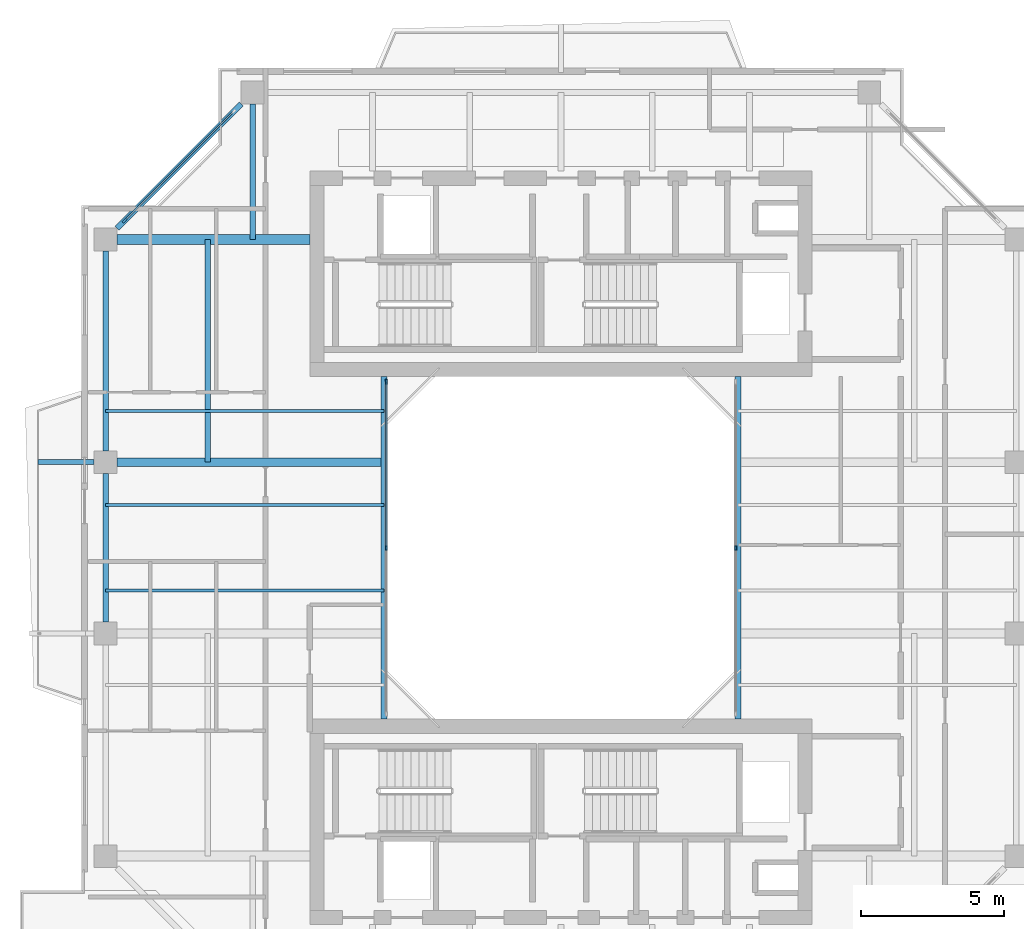
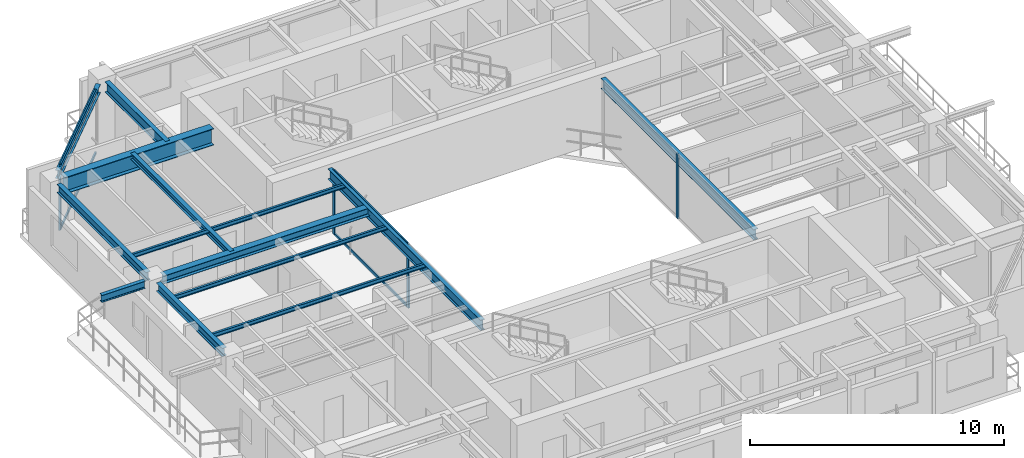
# One storey, part 4 of 15: 13 beams, 8 members, 3 elements without a shape of their own.
"""IFC4 building model written with IfcOpenShell, lengths in metres."""

import ifcopenshell
import ifcopenshell.guid

model = None  # the IFC model being written
_history = None  # IfcOwnerHistory: only IFC2X3 demands one
_inside = {}  # id of a spatial element -> (the spatial element, [elements in it])
_under = {}  # id of a project, library or spatial element -> (it, [spatial elements below it])
_declared = {}  # id of a project -> (the project, [libraries it declares])
_typed = {}  # id of a type object -> (the type object, [elements of that type])
_made_of = {}  # id of a material, layer set ... -> (it, [elements and type objects made of it])


def new_model(schema):
    """Start an empty IFC model of exactly this schema.

    Asked for "IFC4X3", IfcOpenShell would pick the latest addendum, in which some entities
    have other attributes; the version numbers below select the first issue.
    IFC2X3 requires an IfcOwnerHistory on every rooted entity: one is made here for all.
    """
    global model, _history
    if schema == "IFC4X3":
        model = ifcopenshell.file(schema_version=(4, 3, 0, 0))
    else:
        model = ifcopenshell.file(schema=schema)
    _inside.clear()
    _under.clear()
    _declared.clear()
    _typed.clear()
    _made_of.clear()
    _history = None
    if model.schema == "IFC2X3":
        org = make("IfcOrganization", Name="unknown")
        user = make(
            "IfcPersonAndOrganization",
            ThePerson=make("IfcPerson", FamilyName="unknown"),
            TheOrganization=org,
        )
        app = make(
            "IfcApplication",
            ApplicationDeveloper=org,
            Version="unknown",
            ApplicationFullName="unknown",
            ApplicationIdentifier="unknown",
        )
        _history = make(
            "IfcOwnerHistory",
            OwningUser=user,
            OwningApplication=app,
            ChangeAction="ADDED",
            CreationDate=0,
        )
    return model


def make(cls, **values):
    """One entity of the class cls with the attributes given. An attribute that is None is left unset."""
    return model.create_entity(
        cls, **{name: value for name, value in values.items() if value is not None}
    )


def rooted(cls, **values):
    """An entity with a GlobalId (a new one), such as an element, a storey or a relation."""
    return make(cls, GlobalId=ifcopenshell.guid.new(), OwnerHistory=_history, **values)


def si_unit(unit_type, name, prefix=None):
    """IfcSIUnit, for example si_unit("LENGTHUNIT", "METRE", prefix="MILLI")."""
    return make("IfcSIUnit", UnitType=unit_type, Prefix=prefix, Name=name)


def assignment(units):
    """IfcUnitAssignment: the units of a project."""
    return None if units is None else make("IfcUnitAssignment", Units=units)


def point(xyz):
    """IfcCartesianPoint."""
    return None if xyz is None else make("IfcCartesianPoint", Coordinates=xyz)


def direction(xyz):
    """IfcDirection."""
    return None if xyz is None else make("IfcDirection", DirectionRatios=xyz)


def frame(location, z_axis=None, x_axis=None):
    """IfcAxis2Placement3D, a coordinate frame: its origin and axes. An axis left out is left unset."""
    return make(
        "IfcAxis2Placement3D",
        Location=point(location),
        Axis=direction(z_axis),
        RefDirection=direction(x_axis),
    )


def frame_2d(location, x_axis=None):
    """IfcAxis2Placement2D, a coordinate frame in the plane: its origin and x axis."""
    return make(
        "IfcAxis2Placement2D", Location=point(location), RefDirection=direction(x_axis)
    )


def origin():
    """The frame at (0, 0, 0) with its axes left unset."""
    return frame((0.0, 0.0, 0.0))


def origin_2d():
    """The frame at (0, 0) in the plane with its x axis left unset."""
    return frame_2d((0.0, 0.0))


def place(relative_to, where):
    """IfcLocalPlacement: puts the frame where relative to a parent placement (None: the world)."""
    return make(
        "IfcLocalPlacement", PlacementRelTo=relative_to, RelativePlacement=where
    )


def context(
    kind, dimensions, precision=None, world=None, true_north=None, identifier=None
):
    """IfcGeometricRepresentationContext, for example the 3D "Model" context."""
    return make(
        "IfcGeometricRepresentationContext",
        ContextIdentifier=identifier,
        ContextType=kind,
        CoordinateSpaceDimension=dimensions,
        Precision=precision,
        WorldCoordinateSystem=world,
        TrueNorth=true_north,
    )


def subcontext(parent, identifier, kind, view, scale=None):
    """IfcGeometricRepresentationSubContext, for example "Body" below "Model"."""
    return make(
        "IfcGeometricRepresentationSubContext",
        ContextIdentifier=identifier,
        ContextType=kind,
        ParentContext=parent,
        TargetScale=scale,
        TargetView=view,
    )


def project(units=None, contexts=None):
    """IfcProject with its units and contexts."""
    return rooted(
        "IfcProject",
        Name="project",
        RepresentationContexts=contexts,
        UnitsInContext=assignment(units),
    )


def spatial(cls, under=None, at=None, **own):
    """A site, building, storey or space (cls), placed at a placement, below another one or the project."""
    s = rooted(cls, ObjectPlacement=at, **own)
    if under is not None:
        _under.setdefault(under.id(), (under, []))[1].append(s)
    return s


def profile(cls, at=None, kind="AREA", **sizes):
    """A parametric profile (cls). Its sizes go by their IFC names, for example OverallWidth=200.0."""
    return make(cls, ProfileType=kind, Position=at, **sizes)


def rectangle(**sizes):
    """IfcRectangleProfileDef."""
    return profile("IfcRectangleProfileDef", **sizes)


def i_section(**sizes):
    """IfcIShapeProfileDef."""
    return profile("IfcIShapeProfileDef", **sizes)


def extrude(swept, where, along, depth):
    """IfcExtrudedAreaSolid: the profile swept, set in the frame where, extruded along a direction by depth."""
    return make(
        "IfcExtrudedAreaSolid",
        SweptArea=swept,
        Position=where,
        ExtrudedDirection=direction(along),
        Depth=depth,
    )


def shape(context_of_items, identifier, shape_type, items):
    """IfcShapeRepresentation: the items that make up one representation, for example the "Body"."""
    return make(
        "IfcShapeRepresentation",
        ContextOfItems=context_of_items,
        RepresentationIdentifier=identifier,
        RepresentationType=shape_type,
        Items=items,
    )


def source(mapping_origin, context_of_items, identifier, shape_type, items):
    """IfcRepresentationMap: a shape defined once, which mapped items show again and again."""
    return make(
        "IfcRepresentationMap",
        MappingOrigin=mapping_origin,
        MappedRepresentation=shape(context_of_items, identifier, shape_type, items),
    )


def transform(
    local_origin,
    x_axis=None,
    y_axis=None,
    z_axis=None,
    scale=None,
    scale2=None,
    scale3=None,
    uniform=True,
):
    """IfcCartesianTransformationOperator3D, or its non-uniform kind. x_axis, y_axis, z_axis: its Axis1, 2, 3."""
    if uniform:
        return make(
            "IfcCartesianTransformationOperator3D",
            Axis1=direction(x_axis),
            Axis2=direction(y_axis),
            LocalOrigin=point(local_origin),
            Scale=scale,
            Axis3=direction(z_axis),
        )
    return make(
        "IfcCartesianTransformationOperator3DnonUniform",
        Axis1=direction(x_axis),
        Axis2=direction(y_axis),
        LocalOrigin=point(local_origin),
        Scale=scale,
        Axis3=direction(z_axis),
        Scale2=scale2,
        Scale3=scale3,
    )


def mapped(mapping_source, mapping_target):
    """IfcMappedItem: shows the shape of a source again, moved by a transform."""
    return make(
        "IfcMappedItem", MappingSource=mapping_source, MappingTarget=mapping_target
    )


def material(Name=None, Category=None):
    """IfcMaterial."""
    return make("IfcMaterial", Name=Name, Category=Category)


def layer(
    of_material, thickness, ventilated=None, Name=None, Category=None, Priority=None
):
    """IfcMaterialLayer: one layer of a wall or slab, of a material (None: an air gap)."""
    return make(
        "IfcMaterialLayer",
        Material=of_material,
        LayerThickness=thickness,
        IsVentilated=ventilated,
        Name=Name,
        Category=Category,
        Priority=Priority,
    )


def layer_set(layers, Name=None):
    """IfcMaterialLayerSet."""
    return make("IfcMaterialLayerSet", MaterialLayers=layers, LayerSetName=Name)


def material_profile(
    of_material, cross_section, Name=None, Category=None, Priority=None
):
    """IfcMaterialProfile: a cross section and its material."""
    return make(
        "IfcMaterialProfile",
        Name=Name,
        Material=of_material,
        Profile=cross_section,
        Priority=Priority,
        Category=Category,
    )


def profile_set(profiles, Name=None, composite=None):
    """IfcMaterialProfileSet."""
    return make(
        "IfcMaterialProfileSet",
        Name=Name,
        MaterialProfiles=profiles,
        CompositeProfile=composite,
    )


def made_of(thing, what):
    """Note that an element or type object is made of a material, layer set ...; save() writes the relation."""
    if what is not None:
        _made_of.setdefault(what.id(), (what, []))[1].append(thing)
    return thing


def type_object(cls, material=None, **own):
    """A type object (cls), such as IfcWallType, which elements share."""
    return made_of(rooted(cls, **own), material)


def element(
    cls,
    number,
    at=None,
    inside=None,
    cuts=None,
    type_object=None,
    material=None,
    context=None,
    identifier="Body",
    shape_type=None,
    held_by="IfcProductDefinitionShape",
    body=None,
    shapes=None,
    **own,
):
    """One element of the class cls, such as IfcWall. Its Tag is "e" and its number.

    at: its placement. inside: the storey or other place that contains it. cuts: it is an
    opening in that element (IfcRelVoidsElement). A single representation is given by context,
    identifier, shape_type and body (its items); several are given by shapes. held_by: the class
    of the entity that holds the representations. save() writes the other relations.
    """
    e = rooted(cls, Tag="e%d" % number, ObjectPlacement=at, **own)
    if body is not None:
        shapes = [shape(context, identifier, shape_type, body)]
    if shapes is not None:
        e.Representation = make(held_by, Representations=shapes)
    if inside is not None:
        _inside.setdefault(inside.id(), (inside, []))[1].append(e)
    if cuts is not None:
        rooted(
            "IfcRelVoidsElement", RelatingBuildingElement=cuts, RelatedOpeningElement=e
        )
    if type_object is not None:
        _typed.setdefault(type_object.id(), (type_object, []))[1].append(e)
    return made_of(e, material)


def aggregate(whole, parts):
    """IfcRelAggregates: a whole, such as a stair, and the parts it consists of."""
    return rooted("IfcRelAggregates", RelatingObject=whole, RelatedObjects=parts)


def save(model, path):
    """Write the relations noted so far, then the file.

    IfcRelAggregates (storeys below a building ...), IfcRelContainedInSpatialStructure (elements
    in a storey), IfcRelDefinesByType, IfcRelAssociatesMaterial and IfcRelDeclares: one each for
    every whole, place, type object, material and project.
    """
    for whole, parts in _under.values():
        aggregate(whole, parts)
    for where, things in _inside.values():
        rooted(
            "IfcRelContainedInSpatialStructure",
            RelatedElements=things,
            RelatingStructure=where,
        )
    for kind, things in _typed.values():
        rooted("IfcRelDefinesByType", RelatedObjects=things, RelatingType=kind)
    for what, things in _made_of.values():
        rooted("IfcRelAssociatesMaterial", RelatedObjects=things, RelatingMaterial=what)
    for by, libraries in _declared.values():
        rooted("IfcRelDeclares", RelatingContext=by, RelatedDefinitions=libraries)
    model.write(path)


model = new_model("IFC4")

# Units and contexts
model_context = context("Model", 3, precision=1e-05, world=origin(), true_north=direction((0.0, 1.0)))
body_context = subcontext(model_context, "Body", "Model", "MODEL_VIEW")
ifc_project = project(units=[si_unit("LENGTHUNIT", "METRE"), si_unit("AREAUNIT", "SQUARE_METRE"), si_unit("VOLUMEUNIT", "CUBIC_METRE"), si_unit("PLANEANGLEUNIT", "RADIAN"), si_unit("MASSUNIT", "GRAM", prefix="KILO"), si_unit("THERMODYNAMICTEMPERATUREUNIT", "KELVIN"), si_unit("POWERUNIT", "WATT")], contexts=[model_context])

# Site, building, storey
site_placement = place(None, origin())
site = spatial("IfcSite", under=ifc_project, at=site_placement, CompositionType="ELEMENT")
building_placement = place(site_placement, origin())
building = spatial("IfcBuilding", under=site, at=building_placement, Name="Qiaomeng Ring Towers", CompositionType="ELEMENT")
storey_placement = place(building_placement, frame((0.0, 0.0, 193.75)))
storey = spatial("IfcBuildingStorey", under=building, at=storey_placement, Name="L56", CompositionType="ELEMENT", Elevation=193.75)

# Beams
ifc_material_1 = material(Name="Steel Q355B", Category="steel")
ifc_material_profile_1 = material_profile(ifc_material_1, i_section(OverallWidth=0.199951171875, OverallDepth=0.5, WebThickness=0.010009765625, FlangeThickness=0.01611328125, FilletRadius=0.02001953125, at=origin_2d()), Name="HN 500x200x10x16")
ifc_profile_set_1 = profile_set([ifc_material_profile_1], Name="Steel Q355B")
beam_type_1 = type_object("IfcBeamType", Name="STR-BM-HN500", PredefinedType="BEAM", material=ifc_profile_set_1)
shared_shape_1 = source(origin(), body_context, "Body", "SweptSolid", [
    extrude(i_section(OverallWidth=0.199951171875, OverallDepth=0.5, WebThickness=0.010009765625, FlangeThickness=0.01611328125, FilletRadius=0.02001953125, at=origin_2d()), origin(), (0.0, 0.0, 1.0), 12.0),
])
for number, where, z_axis, x_axis, name in (
    (1, (12.800048828125, 17.0, 2.820068359375), (0.0, 1.0, 0.0), (-1.0, 0.0, 0.0), "L56 beam STR-BM-L56-WELL-W"),
    (2, (25.199951171875, 17.0, 2.820068359375), (0.0, 1.0, 0.0), (-1.0, 0.0, 0.0), "L56 beam STR-BM-L56-WELL-E"),
):
    element("IfcBeam", number, at=place(storey_placement, frame(where, z_axis=z_axis, x_axis=x_axis)), inside=storey, type_object=beam_type_1, Name=name, PredefinedType="BEAM", context=body_context, shape_type="MappedRepresentation", body=[
        mapped(shared_shape_1, transform((0.0, 0.0, 0.0), x_axis=(1.0, 0.0, 0.0), y_axis=(0.0, 1.0, 0.0), z_axis=(0.0, 0.0, 1.0), scale=1.0)),
    ])
ifc_material_profile_2 = material_profile(ifc_material_1, i_section(OverallWidth=0.198974609375, OverallDepth=0.39599609375, WebThickness=0.007080078125, FlangeThickness=0.010986328125, FilletRadius=0.01611328125, at=origin_2d()), Name="HN 396x199x7x11")
ifc_profile_set_2 = profile_set([ifc_material_profile_2], Name="Steel Q355B")
beam_type_2 = type_object("IfcBeamType", Name="STR-BM-HN396", PredefinedType="SPANDREL", material=ifc_profile_set_2)
shared_shape_2 = source(origin(), body_context, "Body", "SweptSolid", [
    extrude(i_section(OverallWidth=0.198974609375, OverallDepth=0.39599609375, WebThickness=0.007080078125, FlangeThickness=0.010986328125, FilletRadius=0.01611328125, at=origin_2d()), origin(), (0.0, 0.0, 1.0), 6.154052734375),
])
beam_1_placement = place(storey_placement, frame((7.80078125, 38.55078125, 2.8720703125), z_axis=(-0.707106781187, -0.707106781187, 0.0), x_axis=(0.707106781187, -0.707106781187, 0.0)))
element("IfcBeam", 3, at=beam_1_placement, inside=storey, type_object=beam_type_2, Name="L56 beam STR-SP-L56-T1-N1-W4", PredefinedType="SPANDREL", context=body_context, shape_type="MappedRepresentation", body=[
    mapped(shared_shape_2, transform((0.0, 0.0, 0.0), x_axis=(1.0, 0.0, 0.0), y_axis=(0.0, 1.0, 0.0), z_axis=(0.0, 0.0, 1.0), scale=1.0)),
])
shared_shape_3 = source(origin(), body_context, "Body", "SweptSolid", [
    extrude(i_section(OverallWidth=0.198974609375, OverallDepth=0.39599609375, WebThickness=0.007080078125, FlangeThickness=0.010986328125, FilletRadius=0.01611328125, at=origin_2d()), origin(), (0.0, 0.0, 1.0), 7.001953125),
])
beam_2_placement = place(storey_placement, frame((3.050048828125, 33.40087890625, 2.8720703125), z_axis=(0.0, -1.0, 0.0), x_axis=(1.0, 0.0, 0.0)))
element("IfcBeam", 4, at=beam_2_placement, inside=storey, type_object=beam_type_2, Name="L56 beam STR-SP-L56-T1-W4-W3", PredefinedType="SPANDREL", context=body_context, shape_type="MappedRepresentation", body=[
    mapped(shared_shape_3, transform((0.0, 0.0, 0.0), x_axis=(1.0, 0.0, 0.0), y_axis=(0.0, 1.0, 0.0), z_axis=(0.0, 0.0, 1.0), scale=1.0)),
])
shared_shape_4 = source(origin(), body_context, "Body", "SweptSolid", [
    extrude(i_section(OverallWidth=0.198974609375, OverallDepth=0.39599609375, WebThickness=0.007080078125, FlangeThickness=0.010986328125, FilletRadius=0.01611328125, at=origin_2d()), origin(), (0.0, 0.0, 1.0), 5.2021484375),
])
beam_3_placement = place(storey_placement, frame((3.050048828125, 25.60107421875, 2.8720703125), z_axis=(0.0, -1.0, 0.0), x_axis=(1.0, 0.0, 0.0)))
element("IfcBeam", 5, at=beam_3_placement, inside=storey, type_object=beam_type_2, Name="L56 beam STR-SP-L56-T1-W3-W2", PredefinedType="SPANDREL", context=body_context, shape_type="MappedRepresentation", body=[
    mapped(shared_shape_4, transform((0.0, 0.0, 0.0), x_axis=(1.0, 0.0, 0.0), y_axis=(0.0, 1.0, 0.0), z_axis=(0.0, 0.0, 1.0), scale=1.0)),
])
ifc_material_2 = material(Name="Steel Q390GJC", Category="steel")
ifc_material_profile_3 = material_profile(ifc_material_2, i_section(OverallWidth=0.35009765625, OverallDepth=0.800048828125, WebThickness=0.01611328125, FlangeThickness=0.028076171875, at=origin_2d()), Name="WH 800x350x16x28")
ifc_profile_set_3 = profile_set([ifc_material_profile_3], Name="Steel Q390GJC")
beam_type_3 = type_object("IfcBeamType", Name="STR-BM-WH800", PredefinedType="BEAM", material=ifc_profile_set_3)
shared_shape_5 = source(origin(), body_context, "Body", "SweptSolid", [
    extrude(i_section(OverallWidth=0.35009765625, OverallDepth=0.800048828125, WebThickness=0.01611328125, FlangeThickness=0.028076171875, at=origin_2d()), origin(), (0.0, 0.0, 1.0), 6.7509765625),
])
beam_4_placement = place(storey_placement, frame((3.448974609375, 33.800048828125, 2.669921875), z_axis=(1.0, 0.0, 0.0), x_axis=(0.0, 1.0, 0.0)))
element("IfcBeam", 6, at=beam_4_placement, inside=storey, type_object=beam_type_3, Name="L56 beam STR-BM-L56-T1-RAD-W4", PredefinedType="BEAM", context=body_context, shape_type="MappedRepresentation", body=[
    mapped(shared_shape_5, transform((0.0, 0.0, 0.0), x_axis=(1.0, 0.0, 0.0), y_axis=(0.0, 1.0, 0.0), z_axis=(0.0, 0.0, 1.0), scale=1.0)),
])
shared_shape_6 = source(origin(), body_context, "Body", "SweptSolid", [
    extrude(i_section(OverallWidth=0.199951171875, OverallDepth=0.5, WebThickness=0.010009765625, FlangeThickness=0.01611328125, FilletRadius=0.02001953125, at=origin_2d()), origin(), (0.0, 0.0, 1.0), 4.7509765625),
])
beam_5_placement = place(storey_placement, frame((8.199951171875, 38.551025390625, 2.820068359375), z_axis=(0.0, -1.0, 0.0), x_axis=(1.0, 0.0, 0.0)))
element("IfcBeam", 7, at=beam_5_placement, inside=storey, type_object=beam_type_1, Name="L56 beam STR-BM-L56-T1-RAD-N1", PredefinedType="BEAM", context=body_context, shape_type="MappedRepresentation", body=[
    mapped(shared_shape_6, transform((0.0, 0.0, 0.0), x_axis=(1.0, 0.0, 0.0), y_axis=(0.0, 1.0, 0.0), z_axis=(0.0, 0.0, 1.0), scale=1.0)),
])
ifc_material_profile_4 = material_profile(ifc_material_1, i_section(OverallWidth=0.300048828125, OverallDepth=0.389892578125, WebThickness=0.010009765625, FlangeThickness=0.01611328125, FilletRadius=0.02197265625, at=origin_2d()), Name="HM 390x300x10x16")
ifc_profile_set_4 = profile_set([ifc_material_profile_4], Name="Steel Q355B")
beam_type_4 = type_object("IfcBeamType", Name="STR-BM-HM390", PredefinedType="BEAM", material=ifc_profile_set_4)
shared_shape_7 = source(origin(), body_context, "Body", "SweptSolid", [
    extrude(i_section(OverallWidth=0.300048828125, OverallDepth=0.389892578125, WebThickness=0.010009765625, FlangeThickness=0.01611328125, FilletRadius=0.02197265625, at=origin_2d()), origin(), (0.0, 0.0, 1.0), 9.35107421875),
])
beam_6_placement = place(storey_placement, frame((3.448974609375, 26.0, 2.875), z_axis=(1.0, 0.0, 0.0), x_axis=(0.0, 1.0, 0.0)))
element("IfcBeam", 8, at=beam_6_placement, inside=storey, type_object=beam_type_4, Name="L56 beam STR-BM-L56-T1-RAD-W3", PredefinedType="BEAM", context=body_context, shape_type="MappedRepresentation", body=[
    mapped(shared_shape_7, transform((0.0, 0.0, 0.0), x_axis=(1.0, 0.0, 0.0), y_axis=(0.0, 1.0, 0.0), z_axis=(0.0, 0.0, 1.0), scale=1.0)),
])
ifc_material_profile_5 = material_profile(ifc_material_1, i_section(OverallWidth=0.175048828125, OverallDepth=0.35009765625, WebThickness=0.007080078125, FlangeThickness=0.010986328125, FilletRadius=0.013916015625, at=origin_2d()), Name="HN 350x175x7x11")
ifc_profile_set_5 = profile_set([ifc_material_profile_5], Name="Steel Q355B")
beam_type_5 = type_object("IfcBeamType", Name="STR-BM-HN350", PredefinedType="JOIST", material=ifc_profile_set_5)
shared_shape_8 = source(origin(), body_context, "Body", "SweptSolid", [
    extrude(i_section(OverallWidth=0.175048828125, OverallDepth=0.35009765625, WebThickness=0.007080078125, FlangeThickness=0.010986328125, FilletRadius=0.013916015625, at=origin_2d()), origin(), (0.0, 0.0, 1.0), 1.970947265625),
])
beam_7_placement = place(storey_placement, frame((0.679931640625, 26.0, 2.89501953125), z_axis=(1.0, 0.0, 0.0), x_axis=(0.0, 1.0, 0.0)))
element("IfcBeam", 9, at=beam_7_placement, inside=storey, type_object=beam_type_5, Name="L56 beam STR-BALBM-L56-W3", PredefinedType="JOIST", context=body_context, shape_type="MappedRepresentation", body=[
    mapped(shared_shape_8, transform((0.0, 0.0, 0.0), x_axis=(1.0, 0.0, 0.0), y_axis=(0.0, 1.0, 0.0), z_axis=(0.0, 0.0, 1.0), scale=1.0)),
])
ifc_material_profile_6 = material_profile(ifc_material_1, i_section(OverallWidth=0.10009765625, OverallDepth=0.199951171875, WebThickness=0.005615234375, FlangeThickness=0.008056640625, FilletRadius=0.010986328125, at=origin_2d()), Name="HN 200x100x5.5x8")
ifc_profile_set_6 = profile_set([ifc_material_profile_6], Name="Steel Q355B")
beam_type_6 = type_object("IfcBeamType", Name="STR-BM-HN200", PredefinedType="JOIST", material=ifc_profile_set_6)
shared_shape_9 = source(origin(), body_context, "Body", "SweptSolid", [
    extrude(i_section(OverallWidth=0.10009765625, OverallDepth=0.199951171875, WebThickness=0.005615234375, FlangeThickness=0.008056640625, FilletRadius=0.010986328125, at=origin_2d()), origin(), (0.0, 0.0, 1.0), 9.75),
])
for number, where, z_axis, x_axis, name in (
    (10, (3.050048828125, 21.5, 2.969970703125), (1.0, 0.0, 0.0), (0.0, 1.0, 0.0), "L56 beam STR-JST-L56-T1W-2"),
    (11, (3.050048828125, 24.5, 2.969970703125), (1.0, 0.0, 0.0), (0.0, 1.0, 0.0), "L56 beam STR-JST-L56-T1W-3"),
    (12, (3.050048828125, 27.800048828125, 2.969970703125), (1.0, 0.0, 0.0), (0.0, 1.0, 0.0), "L56 beam STR-JST-L56-T1W-4"),
):
    element("IfcBeam", number, at=place(storey_placement, frame(where, z_axis=z_axis, x_axis=x_axis)), inside=storey, type_object=beam_type_6, Name=name, PredefinedType="JOIST", context=body_context, shape_type="MappedRepresentation", body=[
        mapped(shared_shape_9, transform((0.0, 0.0, 0.0), x_axis=(1.0, 0.0, 0.0), y_axis=(0.0, 1.0, 0.0), z_axis=(0.0, 0.0, 1.0), scale=1.0)),
    ])
ifc_material_profile_7 = material_profile(ifc_material_1, i_section(OverallWidth=0.199951171875, OverallDepth=0.2939453125, WebThickness=0.008056640625, FlangeThickness=0.011962890625, FilletRadius=0.01806640625, at=origin_2d()), Name="HM 294x200x8x12")
ifc_profile_set_7 = profile_set([ifc_material_profile_7], Name="Steel Q355B")
beam_type_7 = type_object("IfcBeamType", Name="STR-BM-HM294", PredefinedType="JOIST", material=ifc_profile_set_7)
shared_shape_10 = source(origin(), body_context, "Body", "SweptSolid", [
    extrude(i_section(OverallWidth=0.199951171875, OverallDepth=0.2939453125, WebThickness=0.008056640625, FlangeThickness=0.011962890625, FilletRadius=0.01806640625, at=origin_2d()), origin(), (0.0, 0.0, 1.0), 7.800048828125),
])
beam_8_placement = place(storey_placement, frame((6.625, 26.0, 2.923095703125), z_axis=(0.0, 1.0, 0.0), x_axis=(-1.0, 0.0, 0.0)))
element("IfcBeam", 13, at=beam_8_placement, inside=storey, type_object=beam_type_7, Name="L56 beam STR-JST-L56-T1C-WN", PredefinedType="JOIST", context=body_context, shape_type="MappedRepresentation", body=[
    mapped(shared_shape_10, transform((0.0, 0.0, 0.0), x_axis=(1.0, 0.0, 0.0), y_axis=(0.0, 1.0, 0.0), z_axis=(0.0, 0.0, 1.0), scale=1.0)),
])

# Curtain wall, members
ifc_material_3 = material(Name="Fluorocarbon dark-grey aluminium", Category="aluminium")
ifc_layer_1 = layer(ifc_material_3, 0.139892578125, Name="Fluorocarbon dark-grey aluminium")
ifc_layer_set_1 = layer_set([ifc_layer_1], Name="Fluorocarbon dark-grey aluminium")
curtain_wall_type_1 = type_object("IfcCurtainWallType", Name="ARC-CW-4", PredefinedType="NOTDEFINED", material=ifc_layer_set_1)
curtain_wall_1_placement = place(storey_placement, origin())
curtain_wall_1 = element("IfcCurtainWall", 14, at=curtain_wall_1_placement, inside=storey, type_object=curtain_wall_type_1, Name="L56 Curtain Wall CW4", PredefinedType="NOTDEFINED")
ifc_material_profile_8 = material_profile(ifc_material_3, rectangle(XDim=0.06494140625, YDim=0.159912109375, at=origin_2d()), Name="ALU MULL 65x160")
ifc_profile_set_8 = profile_set([ifc_material_profile_8], Name="Fluorocarbon dark-grey aluminium")
member_type_1 = type_object("IfcMemberType", Name="ARC-CWM-140", PredefinedType="MULLION", material=ifc_profile_set_8)
shared_shape_11 = source(origin(), body_context, "Body", "SweptSolid", [
    extrude(rectangle(XDim=0.06494140625, YDim=0.159912109375, at=origin_2d()), origin(), (0.0, 0.0, 1.0), 3.070068359375),
])
member_1_placement = place(storey_placement, frame((12.8798828125, 23.0, 0.0), z_axis=(0.0, 0.0, 1.0), x_axis=(-1.0, 0.0, 0.0)))
member_1 = element("IfcMember", 15, at=member_1_placement, type_object=member_type_1, Name="CW4 mullion 2", PredefinedType="MULLION", context=body_context, shape_type="MappedRepresentation", body=[
    mapped(shared_shape_11, transform((0.0, 0.0, 0.0), x_axis=(1.0, 0.0, 0.0), y_axis=(0.0, 1.0, 0.0), z_axis=(0.0, 0.0, 1.0), scale=1.0)),
])
member_2_placement = place(storey_placement, frame((12.8798828125, 28.8173828125, 0.0), z_axis=(0.0, 0.0, 1.0), x_axis=(-1.0, 0.0, 0.0)))
member_2 = element("IfcMember", 16, at=member_2_placement, type_object=member_type_1, Name="CW4 mullion 3", PredefinedType="MULLION", context=body_context, shape_type="MappedRepresentation", body=[
    mapped(shared_shape_11, transform((0.0, 0.0, 0.0), x_axis=(1.0, 0.0, 0.0), y_axis=(0.0, 1.0, 0.0), z_axis=(0.0, 0.0, 1.0), scale=1.0)),
])

# Curtain wall, member
curtain_wall_2_placement = place(storey_placement, origin())
curtain_wall_2 = element("IfcCurtainWall", 17, at=curtain_wall_2_placement, inside=storey, type_object=curtain_wall_type_1, Name="L56 Curtain Wall CW4", PredefinedType="NOTDEFINED")
member_3_placement = place(storey_placement, frame((25.1201171875, 23.0, 0.0), z_axis=(0.0, 0.0, 1.0), x_axis=(-1.0, 0.0, 0.0)))
member_3 = element("IfcMember", 18, at=member_3_placement, type_object=member_type_1, Name="CW4 mullion 2", PredefinedType="MULLION", context=body_context, shape_type="MappedRepresentation", body=[
    mapped(shared_shape_11, transform((0.0, 0.0, 0.0), x_axis=(1.0, 0.0, 0.0), y_axis=(0.0, 1.0, 0.0), z_axis=(0.0, 0.0, 1.0), scale=1.0)),
])
aggregate(curtain_wall_2, [member_3])

# Member
ifc_material_profile_9 = material_profile(ifc_material_3, rectangle(XDim=0.06494140625, YDim=0.1298828125, at=origin_2d()), Name="ALU TRAN 65x130")
ifc_profile_set_9 = profile_set([ifc_material_profile_9], Name="Fluorocarbon dark-grey aluminium")
member_type_2 = type_object("IfcMemberType", Name="ARC-CWT-120", PredefinedType="USERDEFINED", material=ifc_profile_set_9)
shared_shape_12 = source(origin(), body_context, "Body", "SweptSolid", [
    extrude(rectangle(XDim=0.06494140625, YDim=0.1298828125, at=origin_2d()), origin(), (0.0, 0.0, 1.0), 5.75244140625),
])
member_4_placement = place(storey_placement, frame((12.8798828125, 23.032470703125, 0.032470703125), z_axis=(0.0, 1.0, 0.0), x_axis=(-1.0, 0.0, 0.0)))
member_4 = element("IfcMember", 19, at=member_4_placement, type_object=member_type_2, Name="CW4 transom 2.1", ObjectType="TRANSOM", PredefinedType="USERDEFINED", context=body_context, shape_type="MappedRepresentation", body=[
    mapped(shared_shape_12, transform((0.0, 0.0, 0.0), x_axis=(1.0, 0.0, 0.0), y_axis=(0.0, 1.0, 0.0), z_axis=(0.0, 0.0, 1.0), scale=1.0)),
])

member_5_placement = place(storey_placement, frame((12.8798828125, 23.032470703125, 3.03759765625), z_axis=(0.0, 1.0, 0.0), x_axis=(-1.0, 0.0, 0.0)))
member_5 = element("IfcMember", 20, at=member_5_placement, type_object=member_type_2, Name="CW4 transom 2.2", ObjectType="TRANSOM", PredefinedType="USERDEFINED", context=body_context, shape_type="MappedRepresentation", body=[
    mapped(shared_shape_12, transform((0.0, 0.0, 0.0), x_axis=(1.0, 0.0, 0.0), y_axis=(0.0, 1.0, 0.0), z_axis=(0.0, 0.0, 1.0), scale=1.0)),
])

aggregate(curtain_wall_1, [member_1, member_2, member_4, member_5])

# Curtain wall, members
ifc_layer_2 = layer(ifc_material_3, 0.14990234375, Name="Fluorocarbon dark-grey aluminium")
ifc_layer_set_2 = layer_set([ifc_layer_2], Name="Fluorocarbon dark-grey aluminium")
curtain_wall_type_2 = type_object("IfcCurtainWallType", Name="ARC-CW-3", PredefinedType="NOTDEFINED", material=ifc_layer_set_2)
curtain_wall_3_placement = place(storey_placement, origin())
curtain_wall_3 = element("IfcCurtainWall", 21, at=curtain_wall_3_placement, inside=storey, type_object=curtain_wall_type_2, Name="L56 Curtain Wall CW3", PredefinedType="NOTDEFINED")
ifc_material_profile_10 = material_profile(ifc_material_3, rectangle(XDim=0.070068359375, YDim=0.179931640625, at=origin_2d()), Name="ALU MULL 70x180")
ifc_profile_set_10 = profile_set([ifc_material_profile_10], Name="Fluorocarbon dark-grey aluminium")
member_type_3 = type_object("IfcMemberType", Name="ARC-CWM-160", PredefinedType="MULLION", material=ifc_profile_set_10)
shared_shape_13 = source(origin(), body_context, "Body", "SweptSolid", [
    extrude(rectangle(XDim=0.070068359375, YDim=0.179931640625, at=origin_2d()), origin(), (0.0, 0.0, 1.0), 3.070068359375),
])
member_6_placement = place(storey_placement, frame((3.71484375, 34.46484375, 0.0), z_axis=(0.0, 0.0, 1.0), x_axis=(0.707106781187, -0.707106781187, 0.0)))
member_6 = element("IfcMember", 22, at=member_6_placement, type_object=member_type_3, Name="CW3 mullion 2", PredefinedType="MULLION", context=body_context, shape_type="MappedRepresentation", body=[
    mapped(shared_shape_13, transform((0.0, 0.0, 0.0), x_axis=(1.0, 0.0, 0.0), y_axis=(0.0, 1.0, 0.0), z_axis=(0.0, 0.0, 1.0), scale=1.0)),
])
shared_shape_14 = source(origin(), body_context, "Body", "SweptSolid", [
    extrude(rectangle(XDim=0.06494140625, YDim=0.1298828125, at=origin_2d()), origin(), (0.0, 0.0, 1.0), 5.3330078125),
])
member_7_placement = place(storey_placement, frame((7.510498046875, 38.260498046875, 0.032470703125), z_axis=(-0.707106781187, -0.707106781187, 0.0), x_axis=(0.707106781187, -0.707106781187, 0.0)))
member_7 = element("IfcMember", 23, at=member_7_placement, type_object=member_type_2, Name="CW3 transom 1.1", ObjectType="TRANSOM", PredefinedType="USERDEFINED", context=body_context, shape_type="MappedRepresentation", body=[
    mapped(shared_shape_14, transform((0.0, 0.0, 0.0), x_axis=(1.0, 0.0, 0.0), y_axis=(0.0, 1.0, 0.0), z_axis=(0.0, 0.0, 1.0), scale=1.0)),
])
member_8_placement = place(storey_placement, frame((7.510498046875, 38.260498046875, 3.03759765625), z_axis=(-0.707106781187, -0.707106781187, 0.0), x_axis=(0.707106781187, -0.707106781187, 0.0)))
member_8 = element("IfcMember", 24, at=member_8_placement, type_object=member_type_2, Name="CW3 transom 1.2", ObjectType="TRANSOM", PredefinedType="USERDEFINED", context=body_context, shape_type="MappedRepresentation", body=[
    mapped(shared_shape_14, transform((0.0, 0.0, 0.0), x_axis=(1.0, 0.0, 0.0), y_axis=(0.0, 1.0, 0.0), z_axis=(0.0, 0.0, 1.0), scale=1.0)),
])
aggregate(curtain_wall_3, [member_6, member_7, member_8])

save(model, "model.ifc")
